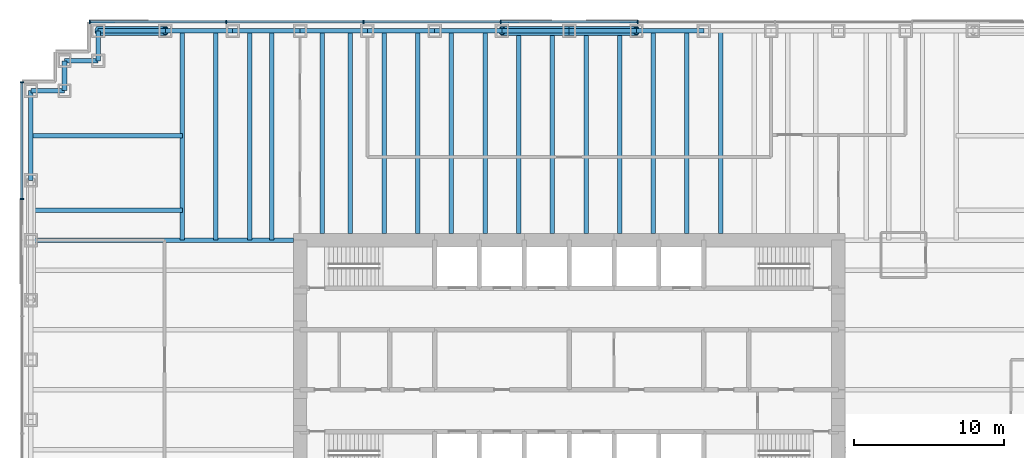
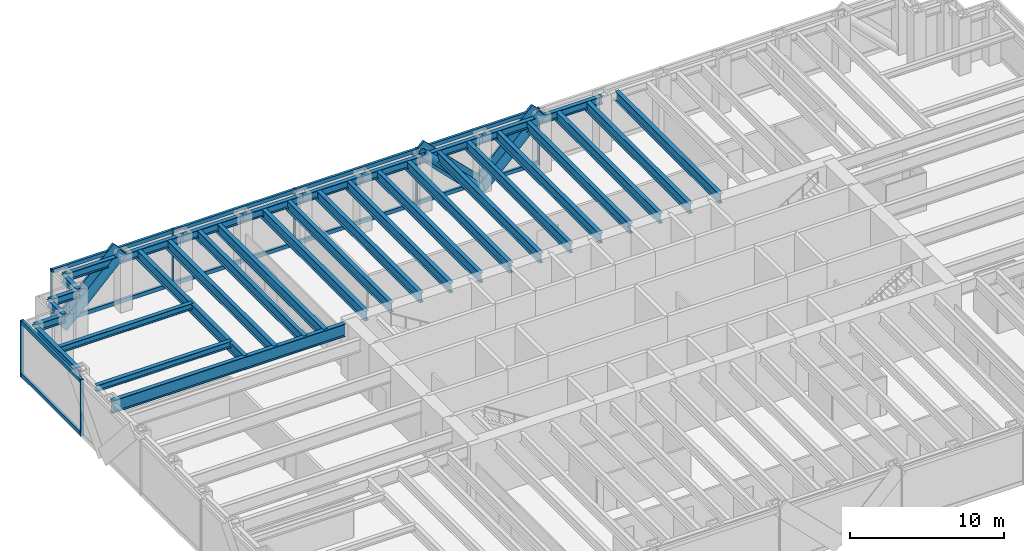
# One storey, part 5 of 13: 34 beams, 23 members, 2 elements without a shape of their own.
"""IFC4 building model written with IfcOpenShell, lengths in metres."""

from ifc_helpers import new_model, si_unit, direction, frame, origin, origin_2d, place, context, subcontext, project, spatial, rectangle, hollow_circle, i_section, extrude, material, material_profile, profile_set, type_object, element, aggregate, save


model = new_model("IFC4")

# Units and contexts
model_context = context("Model", 3, precision=1e-05, world=origin(), true_north=direction((0.0, 1.0)))
body_context = subcontext(model_context, "Body", "Model", "MODEL_VIEW")
ifc_project = project(units=[si_unit("LENGTHUNIT", "METRE"), si_unit("AREAUNIT", "SQUARE_METRE"), si_unit("VOLUMEUNIT", "CUBIC_METRE"), si_unit("PLANEANGLEUNIT", "RADIAN"), si_unit("MASSUNIT", "GRAM", prefix="KILO")], contexts=[model_context])

# Site, building, storey
site_placement = place(None, origin())
site = spatial("IfcSite", under=ifc_project, at=site_placement, CompositionType="ELEMENT")
building_placement = place(site_placement, origin())
building = spatial("IfcBuilding", under=site, at=building_placement, Name="Rheinbord Bourse Tower", CompositionType="ELEMENT")
storey_placement = place(building_placement, frame((0.0, 0.0, 32.0)))
storey = spatial("IfcBuildingStorey", under=building, at=storey_placement, Name="L06", CompositionType="ELEMENT", Elevation=32.0)

# Curtain wall, members
ifc_material_1 = material(Name="Dark glass and black aluminium", Category="aluminium")
curtain_wall_type = type_object("IfcCurtainWallType", Name="CW1 DARK GLASS CURTAIN WALL", PredefinedType="USERDEFINED", material=ifc_material_1)
curtain_wall_1_placement = place(storey_placement, origin())
curtain_wall_1 = element("IfcCurtainWall", 1, at=curtain_wall_1_placement, inside=storey, type_object=curtain_wall_type, Name="Curtain wall CW1 N L06", ObjectType="UNITISED CURTAIN WALL", PredefinedType="USERDEFINED")
ifc_material_2 = material(Name="Black anodised aluminium", Category="aluminium")
ifc_material_profile_1 = material_profile(ifc_material_2, rectangle(XDim=0.179931640625, YDim=1.2099609375, at=origin_2d()), Name="CW1 DIAGONAL MULLION 1210x180")
ifc_profile_set_1 = profile_set([ifc_material_profile_1], Name="Black anodised aluminium")
member_type_1 = type_object("IfcMemberType", Name="CW1 BLACK DIAGONAL MULLION", PredefinedType="USERDEFINED", material=ifc_profile_set_1)
member_1_placement = place(storey_placement, frame((36.0, 46.60009765625, 0.0), z_axis=(0.707106781187, 0.0, 0.707106781187), x_axis=(0.0, 1.0, 0.0)))
member_1 = element("IfcMember", 2, at=member_1_placement, type_object=member_type_1, Name="CW1 diagonal mullion a", ObjectType="DIAGONAL MULLION", PredefinedType="USERDEFINED", context=body_context, shape_type="SweptSolid", body=[
    extrude(rectangle(XDim=0.179931640625, YDim=1.2099609375, at=origin_2d()), origin(), (0.0, 0.0, 1.0), 6.364013671875),
])
member_2_placement = place(storey_placement, frame((36.0, 46.60009765625, 0.0), z_axis=(-0.707106781187, 0.0, 0.707106781187), x_axis=(0.0, -1.0, 0.0)))
member_2 = element("IfcMember", 3, at=member_2_placement, type_object=member_type_1, Name="CW1 diagonal mullion b", ObjectType="DIAGONAL MULLION", PredefinedType="USERDEFINED", context=body_context, shape_type="SweptSolid", body=[
    extrude(rectangle(XDim=0.179931640625, YDim=1.2099609375, at=origin_2d()), origin(), (0.0, 0.0, 1.0), 6.364013671875),
])
member_3_placement = place(storey_placement, frame((4.5, 46.60009765625, 0.0), z_axis=(0.707106781187, 0.0, 0.707106781187), x_axis=(0.0, 1.0, 0.0)))
member_3 = element("IfcMember", 4, at=member_3_placement, type_object=member_type_1, Name="CW1 diagonal mullion d", ObjectType="DIAGONAL MULLION", PredefinedType="USERDEFINED", context=body_context, shape_type="SweptSolid", body=[
    extrude(rectangle(XDim=0.179931640625, YDim=1.2099609375, at=origin_2d()), origin(), (0.0, 0.0, 1.0), 6.364013671875),
])
ifc_material_3 = material(Name="Black anodised aluminium", Category="aluminium")
ifc_material_profile_2 = material_profile(ifc_material_3, rectangle(XDim=0.25, YDim=0.080078125, at=origin_2d()), Name="CW1 MULLION 80x250")
ifc_profile_set_2 = profile_set([ifc_material_profile_2], Name="Black anodised aluminium")
member_type_2 = type_object("IfcMemberType", Name="CW1 BLACK MULLION", PredefinedType="MULLION", material=ifc_profile_set_2)
member_4_placement = place(storey_placement, frame((40.585693359375, 46.60009765625, 0.0), z_axis=(0.0, 0.0, 1.0), x_axis=(0.0, -1.0, 0.0)))
member_4 = element("IfcMember", 5, at=member_4_placement, type_object=member_type_2, Name="CW1 mullion 4", PredefinedType="MULLION", context=body_context, shape_type="SweptSolid", body=[
    extrude(rectangle(XDim=0.25, YDim=0.080078125, at=origin_2d()), origin(), (0.0, 0.0, 1.0), 4.5),
])
member_5_placement = place(storey_placement, frame((31.414306640625, 46.60009765625, 0.0), z_axis=(0.0, 0.0, 1.0), x_axis=(0.0, -1.0, 0.0)))
member_5 = element("IfcMember", 6, at=member_5_placement, type_object=member_type_2, Name="CW1 mullion 5", PredefinedType="MULLION", context=body_context, shape_type="SweptSolid", body=[
    extrude(rectangle(XDim=0.25, YDim=0.080078125, at=origin_2d()), origin(), (0.0, 0.0, 1.0), 4.5),
])
member_6_placement = place(storey_placement, frame((22.242919921875, 46.60009765625, 0.0), z_axis=(0.0, 0.0, 1.0), x_axis=(0.0, -1.0, 0.0)))
member_6 = element("IfcMember", 7, at=member_6_placement, type_object=member_type_2, Name="CW1 mullion 6", PredefinedType="MULLION", context=body_context, shape_type="SweptSolid", body=[
    extrude(rectangle(XDim=0.25, YDim=0.080078125, at=origin_2d()), origin(), (0.0, 0.0, 1.0), 4.5),
])
member_7_placement = place(storey_placement, frame((13.071533203125, 46.60009765625, 0.0), z_axis=(0.0, 0.0, 1.0), x_axis=(0.0, -1.0, 0.0)))
member_7 = element("IfcMember", 8, at=member_7_placement, type_object=member_type_2, Name="CW1 mullion 7", PredefinedType="MULLION", context=body_context, shape_type="SweptSolid", body=[
    extrude(rectangle(XDim=0.25, YDim=0.080078125, at=origin_2d()), origin(), (0.0, 0.0, 1.0), 4.5),
])
member_8_placement = place(storey_placement, frame((3.93994140625, 46.60009765625, 0.0), z_axis=(0.0, 0.0, 1.0), x_axis=(0.0, -1.0, 0.0)))
member_8 = element("IfcMember", 9, at=member_8_placement, type_object=member_type_2, Name="CW1 mullion 8", PredefinedType="MULLION", context=body_context, shape_type="SweptSolid", body=[
    extrude(rectangle(XDim=0.25, YDim=0.080078125, at=origin_2d()), origin(), (0.0, 0.0, 1.0), 4.5),
])

curtain_wall_2_placement = place(storey_placement, origin())
curtain_wall_2 = element("IfcCurtainWall", 10, at=curtain_wall_2_placement, inside=storey, type_object=curtain_wall_type, Name="Curtain wall CW1 W L06", ObjectType="UNITISED CURTAIN WALL", PredefinedType="USERDEFINED")
member_9_placement = place(storey_placement, frame((-0.60009765625, 42.56005859375, 0.0), z_axis=(0.0, 0.0, 1.0), x_axis=(1.0, 0.0, 0.0)))
member_9 = element("IfcMember", 11, at=member_9_placement, type_object=member_type_2, Name="CW1 mullion 1", PredefinedType="MULLION", context=body_context, shape_type="SweptSolid", body=[
    extrude(rectangle(XDim=0.25, YDim=0.080078125, at=origin_2d()), origin(), (0.0, 0.0, 1.0), 4.5),
])
member_10_placement = place(storey_placement, frame((-0.60009765625, 34.760009765625, 0.0), z_axis=(0.0, 0.0, 1.0), x_axis=(1.0, 0.0, 0.0)))
member_10 = element("IfcMember", 12, at=member_10_placement, type_object=member_type_2, Name="CW1 mullion 2", PredefinedType="MULLION", context=body_context, shape_type="SweptSolid", body=[
    extrude(rectangle(XDim=0.25, YDim=0.080078125, at=origin_2d()), origin(), (0.0, 0.0, 1.0), 4.5),
])

# Member
ifc_material_4 = material(Name="Black anodised aluminium", Category="aluminium")
ifc_material_profile_3 = material_profile(ifc_material_4, rectangle(XDim=0.179931640625, YDim=0.300048828125, at=origin_2d()), Name="CW1 TRANSOM 300x180")
ifc_profile_set_3 = profile_set([ifc_material_profile_3], Name="Black anodised aluminium")
member_type_3 = type_object("IfcMemberType", Name="CW1 BLACK TRANSOM", PredefinedType="USERDEFINED", material=ifc_profile_set_3)
member_11_placement = place(storey_placement, frame((40.545654296875, 46.60009765625, 0.14990234375), z_axis=(-1.0, 0.0, 0.0), x_axis=(0.0, -1.0, 0.0)))
member_11 = element("IfcMember", 13, at=member_11_placement, type_object=member_type_3, Name="CW1 transom 4.1", ObjectType="TRANSOM", PredefinedType="USERDEFINED", context=body_context, shape_type="SweptSolid", body=[
    extrude(rectangle(XDim=0.179931640625, YDim=0.300048828125, at=origin_2d()), origin(), (0.0, 0.0, 1.0), 9.09130859375),
])

member_12_placement = place(storey_placement, frame((40.545654296875, 46.60009765625, 4.35009765625), z_axis=(-1.0, 0.0, 0.0), x_axis=(0.0, -1.0, 0.0)))
member_12 = element("IfcMember", 14, at=member_12_placement, type_object=member_type_3, Name="CW1 transom 4.2", ObjectType="TRANSOM", PredefinedType="USERDEFINED", context=body_context, shape_type="SweptSolid", body=[
    extrude(rectangle(XDim=0.179931640625, YDim=0.300048828125, at=origin_2d()), origin(), (0.0, 0.0, 1.0), 9.09130859375),
])

member_13_placement = place(storey_placement, frame((31.374267578125, 46.60009765625, 0.14990234375), z_axis=(-1.0, 0.0, 0.0), x_axis=(0.0, -1.0, 0.0)))
member_13 = element("IfcMember", 15, at=member_13_placement, type_object=member_type_3, Name="CW1 transom 5.1", ObjectType="TRANSOM", PredefinedType="USERDEFINED", context=body_context, shape_type="SweptSolid", body=[
    extrude(rectangle(XDim=0.179931640625, YDim=0.300048828125, at=origin_2d()), origin(), (0.0, 0.0, 1.0), 9.09130859375),
])

member_14_placement = place(storey_placement, frame((31.374267578125, 46.60009765625, 4.35009765625), z_axis=(-1.0, 0.0, 0.0), x_axis=(0.0, -1.0, 0.0)))
member_14 = element("IfcMember", 16, at=member_14_placement, type_object=member_type_3, Name="CW1 transom 5.2", ObjectType="TRANSOM", PredefinedType="USERDEFINED", context=body_context, shape_type="SweptSolid", body=[
    extrude(rectangle(XDim=0.179931640625, YDim=0.300048828125, at=origin_2d()), origin(), (0.0, 0.0, 1.0), 9.09130859375),
])

member_15_placement = place(storey_placement, frame((22.202880859375, 46.60009765625, 0.14990234375), z_axis=(-1.0, 0.0, 0.0), x_axis=(0.0, -1.0, 0.0)))
member_15 = element("IfcMember", 17, at=member_15_placement, type_object=member_type_3, Name="CW1 transom 6.1", ObjectType="TRANSOM", PredefinedType="USERDEFINED", context=body_context, shape_type="SweptSolid", body=[
    extrude(rectangle(XDim=0.179931640625, YDim=0.300048828125, at=origin_2d()), origin(), (0.0, 0.0, 1.0), 9.091552734375),
])

member_16_placement = place(storey_placement, frame((22.202880859375, 46.60009765625, 4.35009765625), z_axis=(-1.0, 0.0, 0.0), x_axis=(0.0, -1.0, 0.0)))
member_16 = element("IfcMember", 18, at=member_16_placement, type_object=member_type_3, Name="CW1 transom 6.2", ObjectType="TRANSOM", PredefinedType="USERDEFINED", context=body_context, shape_type="SweptSolid", body=[
    extrude(rectangle(XDim=0.179931640625, YDim=0.300048828125, at=origin_2d()), origin(), (0.0, 0.0, 1.0), 9.091552734375),
])

member_17_placement = place(storey_placement, frame((13.031494140625, 46.60009765625, 0.14990234375), z_axis=(-1.0, 0.0, 0.0), x_axis=(0.0, -1.0, 0.0)))
member_17 = element("IfcMember", 19, at=member_17_placement, type_object=member_type_3, Name="CW1 transom 7.1", ObjectType="TRANSOM", PredefinedType="USERDEFINED", context=body_context, shape_type="SweptSolid", body=[
    extrude(rectangle(XDim=0.179931640625, YDim=0.300048828125, at=origin_2d()), origin(), (0.0, 0.0, 1.0), 9.051513671875),
])

member_18_placement = place(storey_placement, frame((13.031494140625, 46.60009765625, 4.35009765625), z_axis=(-1.0, 0.0, 0.0), x_axis=(0.0, -1.0, 0.0)))
member_18 = element("IfcMember", 20, at=member_18_placement, type_object=member_type_3, Name="CW1 transom 7.2", ObjectType="TRANSOM", PredefinedType="USERDEFINED", context=body_context, shape_type="SweptSolid", body=[
    extrude(rectangle(XDim=0.179931640625, YDim=0.300048828125, at=origin_2d()), origin(), (0.0, 0.0, 1.0), 9.051513671875),
])

aggregate(curtain_wall_1, [member_4, member_5, member_6, member_7, member_8, member_11, member_12, member_13, member_14, member_15, member_16, member_17, member_18, member_1, member_2, member_3])

member_19_placement = place(storey_placement, frame((-0.60009765625, 42.52001953125, 0.14990234375), z_axis=(0.0, -1.0, 0.0), x_axis=(1.0, 0.0, 0.0)))
member_19 = element("IfcMember", 21, at=member_19_placement, type_object=member_type_3, Name="CW1 transom 1.1", ObjectType="TRANSOM", PredefinedType="USERDEFINED", context=body_context, shape_type="SweptSolid", body=[
    extrude(rectangle(XDim=0.179931640625, YDim=0.300048828125, at=origin_2d()), origin(), (0.0, 0.0, 1.0), 7.719970703125),
])

member_20_placement = place(storey_placement, frame((-0.60009765625, 42.52001953125, 4.35009765625), z_axis=(0.0, -1.0, 0.0), x_axis=(1.0, 0.0, 0.0)))
member_20 = element("IfcMember", 22, at=member_20_placement, type_object=member_type_3, Name="CW1 transom 1.2", ObjectType="TRANSOM", PredefinedType="USERDEFINED", context=body_context, shape_type="SweptSolid", body=[
    extrude(rectangle(XDim=0.179931640625, YDim=0.300048828125, at=origin_2d()), origin(), (0.0, 0.0, 1.0), 7.719970703125),
])

aggregate(curtain_wall_2, [member_9, member_10, member_19, member_20])

# Beams
ifc_material_5 = material(Name="Steel S460", Category="steel")
ifc_material_profile_4 = material_profile(ifc_material_5, i_section(OverallWidth=0.300048828125, OverallDepth=0.800048828125, WebThickness=0.017578125, FlangeThickness=0.032958984375, at=origin_2d()), Name="HEB 800")
ifc_profile_set_4 = profile_set([ifc_material_profile_4], Name="Steel S460")
beam_type_1 = type_object("IfcBeamType", Name="FLOOR BEAM HEB 800", PredefinedType="BEAM", material=ifc_profile_set_4)
for number, where, z_axis, x_axis, name in (
    (23, (10.125, 46.0, 3.919921875), (0.0, -1.0, 0.0), (1.0, 0.0, 0.0), "Floor beam N-9a L07"),
    (24, (12.375, 46.0, 3.919921875), (0.0, -1.0, 0.0), (1.0, 0.0, 0.0), "Floor beam N-9b L07"),
    (25, (14.625, 46.0, 3.919921875), (0.0, -1.0, 0.0), (1.0, 0.0, 0.0), "Floor beam N-13.5a L07"),
    (26, (16.125, 46.0, 3.919921875), (0.0, -1.0, 0.0), (1.0, 0.0, 0.0), "Floor beam N-13.5b L07"),
):
    element("IfcBeam", number, at=place(storey_placement, frame(where, z_axis=z_axis, x_axis=x_axis)), inside=storey, type_object=beam_type_1, Name=name, PredefinedType="BEAM", context=body_context, shape_type="SweptSolid", body=[
        extrude(i_section(OverallWidth=0.300048828125, OverallDepth=0.800048828125, WebThickness=0.017578125, FlangeThickness=0.032958984375, at=origin_2d()), origin(), (0.0, 0.0, 1.0), 14.0),
    ])
for number, where, z_axis, x_axis, name in (
    (27, (19.5, 46.0, 3.919921875), (0.0, -1.0, 0.0), (1.0, 0.0, 0.0), "Floor beam N-18a L07"),
    (28, (21.375, 46.0, 3.919921875), (0.0, -1.0, 0.0), (1.0, 0.0, 0.0), "Floor beam N-18b L07"),
    (29, (23.625, 46.0, 3.919921875), (0.0, -1.0, 0.0), (1.0, 0.0, 0.0), "Floor beam N-22.5a L07"),
    (30, (25.875, 46.0, 3.919921875), (0.0, -1.0, 0.0), (1.0, 0.0, 0.0), "Floor beam N-22.5b L07"),
    (31, (28.125, 46.0, 3.919921875), (0.0, -1.0, 0.0), (1.0, 0.0, 0.0), "Floor beam N-27a L07"),
    (32, (30.375, 46.0, 3.919921875), (0.0, -1.0, 0.0), (1.0, 0.0, 0.0), "Floor beam N-27b L07"),
    (33, (32.625, 46.0, 3.919921875), (0.0, -1.0, 0.0), (1.0, 0.0, 0.0), "Floor beam N-31.5a L07"),
    (34, (34.875, 46.0, 3.919921875), (0.0, -1.0, 0.0), (1.0, 0.0, 0.0), "Floor beam N-31.5b L07"),
    (35, (37.125, 46.0, 3.919921875), (0.0, -1.0, 0.0), (1.0, 0.0, 0.0), "Floor beam N-36a L07"),
    (36, (39.375, 46.0, 3.919921875), (0.0, -1.0, 0.0), (1.0, 0.0, 0.0), "Floor beam N-36b L07"),
    (37, (41.625, 46.0, 3.919921875), (0.0, -1.0, 0.0), (1.0, 0.0, 0.0), "Floor beam N-40.5a L07"),
    (38, (43.875, 46.0, 3.919921875), (0.0, -1.0, 0.0), (1.0, 0.0, 0.0), "Floor beam N-40.5b L07"),
    (39, (46.125, 46.0, 3.919921875), (0.0, -1.0, 0.0), (1.0, 0.0, 0.0), "Floor beam N-45a L07"),
):
    element("IfcBeam", number, at=place(storey_placement, frame(where, z_axis=z_axis, x_axis=x_axis)), inside=storey, type_object=beam_type_1, Name=name, PredefinedType="BEAM", context=body_context, shape_type="SweptSolid", body=[
        extrude(i_section(OverallWidth=0.300048828125, OverallDepth=0.800048828125, WebThickness=0.017578125, FlangeThickness=0.032958984375, at=origin_2d()), origin(), (0.0, 0.0, 1.0), 13.550048828125),
    ])
ifc_material_6 = material(Name="Steel S460", Category="steel")
ifc_material_profile_5 = material_profile(ifc_material_6, i_section(OverallWidth=0.302001953125, OverallDepth=1.008056640625, WebThickness=0.02099609375, FlangeThickness=0.0400390625, at=origin_2d()), Name="HEM 1000")
ifc_profile_set_5 = profile_set([ifc_material_profile_5], Name="Steel S460")
beam_type_2 = type_object("IfcBeamType", Name="GIRDER HEM 1000", PredefinedType="BEAM", material=ifc_profile_set_5)
beam_1_placement = place(storey_placement, frame((0.0, 32.0, 3.81591796875), z_axis=(1.0, 0.0, 0.0), x_axis=(0.0, 1.0, 0.0)))
element("IfcBeam", 40, at=beam_1_placement, inside=storey, type_object=beam_type_2, Name="Girder west 32 L07", PredefinedType="BEAM", context=body_context, shape_type="SweptSolid", body=[
    extrude(i_section(OverallWidth=0.302001953125, OverallDepth=1.008056640625, WebThickness=0.02099609375, FlangeThickness=0.0400390625, at=origin_2d()), origin(), (0.0, 0.0, 1.0), 17.550048828125),
])

# Members
ifc_material_7 = material(Name="Steel S460", Category="steel")
ifc_material_profile_6 = material_profile(ifc_material_7, hollow_circle(Radius=0.304931640625, WallThickness=0.050048828125, at=origin_2d()), Name="CHS 610x50")
ifc_profile_set_6 = profile_set([ifc_material_profile_6], Name="Steel S460")
member_type_4 = type_object("IfcMemberType", Name="MEGABRACE CHS 610x50", PredefinedType="BRACE", material=ifc_profile_set_6)
for number, where, z_axis, x_axis, name in (
    (41, (36.0, 46.0, 0.0), (0.707106781187, 0.0, 0.707106781187), (0.0, 1.0, 0.0), "Megabrace N face line a L06"),
    (42, (36.0, 46.0, 0.0), (-0.707106781187, 0.0, 0.707106781187), (0.0, -1.0, 0.0), "Megabrace N face line b L06"),
    (43, (4.5, 46.0, 0.0), (0.707106781187, 0.0, 0.707106781187), (0.0, 1.0, 0.0), "Megabrace N face line d L06"),
):
    element("IfcMember", number, at=place(storey_placement, frame(where, z_axis=z_axis, x_axis=x_axis)), inside=storey, type_object=member_type_4, Name=name, PredefinedType="BRACE", context=body_context, shape_type="SweptSolid", body=[
        extrude(hollow_circle(Radius=0.304931640625, WallThickness=0.050048828125, at=origin_2d()), origin(), (0.0, 0.0, 1.0), 6.364013671875),
    ])

# Beams
ifc_material_8 = material(Name="Steel S460", Category="steel")
ifc_material_profile_7 = material_profile(ifc_material_8, i_section(OverallWidth=0.304931640625, OverallDepth=0.6201171875, WebThickness=0.02099609375, FlangeThickness=0.0400390625, at=origin_2d()), Name="HEM 600")
ifc_profile_set_7 = profile_set([ifc_material_profile_7], Name="Steel S460")
beam_type_3 = type_object("IfcBeamType", Name="SPANDREL HEM 600", PredefinedType="SPANDREL", material=ifc_profile_set_7)
for number, where, z_axis, x_axis, name in (
    (44, (45.0, 46.0, 4.010009765625), (-1.0, 0.0, 0.0), (0.0, -1.0, 0.0), "Spandrel N-45-N-40.5 under L07"),
    (45, (40.5, 46.0, 4.010009765625), (-1.0, 0.0, 0.0), (0.0, -1.0, 0.0), "Spandrel N-40.5-N-36 under L07"),
    (46, (36.0, 46.0, 4.010009765625), (-1.0, 0.0, 0.0), (0.0, -1.0, 0.0), "Spandrel N-36-N-31.5 under L07"),
    (47, (31.5, 46.0, 4.010009765625), (-1.0, 0.0, 0.0), (0.0, -1.0, 0.0), "Spandrel N-31.5-N-27 under L07"),
    (48, (27.0, 46.0, 4.010009765625), (-1.0, 0.0, 0.0), (0.0, -1.0, 0.0), "Spandrel N-27-N-22.5 under L07"),
    (49, (22.5, 46.0, 4.010009765625), (-1.0, 0.0, 0.0), (0.0, -1.0, 0.0), "Spandrel N-22.5-N-18 under L07"),
    (50, (18.0, 46.0, 4.010009765625), (-1.0, 0.0, 0.0), (0.0, -1.0, 0.0), "Spandrel N-18-N-13.5 under L07"),
    (51, (13.5, 46.0, 4.010009765625), (-1.0, 0.0, 0.0), (0.0, -1.0, 0.0), "Spandrel N-13.5-N-9 under L07"),
    (52, (9.0, 46.0, 4.010009765625), (-1.0, 0.0, 0.0), (0.0, -1.0, 0.0), "Spandrel N-9-NW-E under L07"),
):
    element("IfcBeam", number, at=place(storey_placement, frame(where, z_axis=z_axis, x_axis=x_axis)), inside=storey, type_object=beam_type_3, Name=name, PredefinedType="SPANDREL", context=body_context, shape_type="SweptSolid", body=[
        extrude(i_section(OverallWidth=0.304931640625, OverallDepth=0.6201171875, WebThickness=0.02099609375, FlangeThickness=0.0400390625, at=origin_2d()), origin(), (0.0, 0.0, 1.0), 4.5),
    ])
beam_2_placement = place(storey_placement, frame((4.5, 46.0, 4.010009765625), z_axis=(0.0, -1.0, 0.0), x_axis=(1.0, 0.0, 0.0)))
element("IfcBeam", 53, at=beam_2_placement, inside=storey, type_object=beam_type_3, Name="Spandrel NW-E-NW-D under L07", PredefinedType="SPANDREL", context=body_context, shape_type="SweptSolid", body=[
    extrude(i_section(OverallWidth=0.304931640625, OverallDepth=0.6201171875, WebThickness=0.02099609375, FlangeThickness=0.0400390625, at=origin_2d()), origin(), (0.0, 0.0, 1.0), 2.0),
])
beam_3_placement = place(storey_placement, frame((4.5, 44.0, 4.010009765625), z_axis=(-1.0, 0.0, 0.0), x_axis=(0.0, -1.0, 0.0)))
element("IfcBeam", 54, at=beam_3_placement, inside=storey, type_object=beam_type_3, Name="Spandrel NW-D-NW-C under L07", PredefinedType="SPANDREL", context=body_context, shape_type="SweptSolid", body=[
    extrude(i_section(OverallWidth=0.304931640625, OverallDepth=0.6201171875, WebThickness=0.02099609375, FlangeThickness=0.0400390625, at=origin_2d()), origin(), (0.0, 0.0, 1.0), 2.25),
])
beam_4_placement = place(storey_placement, frame((2.25, 44.0, 4.010009765625), z_axis=(0.0, -1.0, 0.0), x_axis=(1.0, 0.0, 0.0)))
element("IfcBeam", 55, at=beam_4_placement, inside=storey, type_object=beam_type_3, Name="Spandrel NW-C-NW-B under L07", PredefinedType="SPANDREL", context=body_context, shape_type="SweptSolid", body=[
    extrude(i_section(OverallWidth=0.304931640625, OverallDepth=0.6201171875, WebThickness=0.02099609375, FlangeThickness=0.0400390625, at=origin_2d()), origin(), (0.0, 0.0, 1.0), 2.0),
])
beam_5_placement = place(storey_placement, frame((2.25, 42.0, 4.010009765625), z_axis=(-1.0, 0.0, 0.0), x_axis=(0.0, -1.0, 0.0)))
element("IfcBeam", 56, at=beam_5_placement, inside=storey, type_object=beam_type_3, Name="Spandrel NW-B-NW-A under L07", PredefinedType="SPANDREL", context=body_context, shape_type="SweptSolid", body=[
    extrude(i_section(OverallWidth=0.304931640625, OverallDepth=0.6201171875, WebThickness=0.02099609375, FlangeThickness=0.0400390625, at=origin_2d()), origin(), (0.0, 0.0, 1.0), 2.25),
])
beam_6_placement = place(storey_placement, frame((0.0, 42.0, 4.010009765625), z_axis=(0.0, -1.0, 0.0), x_axis=(1.0, 0.0, 0.0)))
element("IfcBeam", 57, at=beam_6_placement, inside=storey, type_object=beam_type_3, Name="Spandrel NW-A-W-36 under L07", PredefinedType="SPANDREL", context=body_context, shape_type="SweptSolid", body=[
    extrude(i_section(OverallWidth=0.304931640625, OverallDepth=0.6201171875, WebThickness=0.02099609375, FlangeThickness=0.0400390625, at=origin_2d()), origin(), (0.0, 0.0, 1.0), 6.0),
])
ifc_material_9 = material(Name="Steel S460", Category="steel")
ifc_material_profile_8 = material_profile(ifc_material_9, i_section(OverallWidth=0.300048828125, OverallDepth=0.5, WebThickness=0.014404296875, FlangeThickness=0.028076171875, at=origin_2d()), Name="HEB 500")
ifc_profile_set_8 = profile_set([ifc_material_profile_8], Name="Steel S460")
beam_type_4 = type_object("IfcBeamType", Name="TIE BEAM HEB 500", PredefinedType="JOIST", material=ifc_profile_set_8)
for number, where, z_axis, x_axis, name in (
    (58, (0.0, 34.0, 4.070068359375), (1.0, 0.0, 0.0), (0.0, 1.0, 0.0), "Tie west 34 L07"),
    (59, (0.0, 39.0, 4.070068359375), (1.0, 0.0, 0.0), (0.0, 1.0, 0.0), "Tie west 39 L07"),
):
    element("IfcBeam", number, at=place(storey_placement, frame(where, z_axis=z_axis, x_axis=x_axis)), inside=storey, type_object=beam_type_4, Name=name, PredefinedType="JOIST", context=body_context, shape_type="SweptSolid", body=[
        extrude(i_section(OverallWidth=0.300048828125, OverallDepth=0.5, WebThickness=0.014404296875, FlangeThickness=0.028076171875, at=origin_2d()), origin(), (0.0, 0.0, 1.0), 10.125),
    ])

save(model, "model.ifc")
